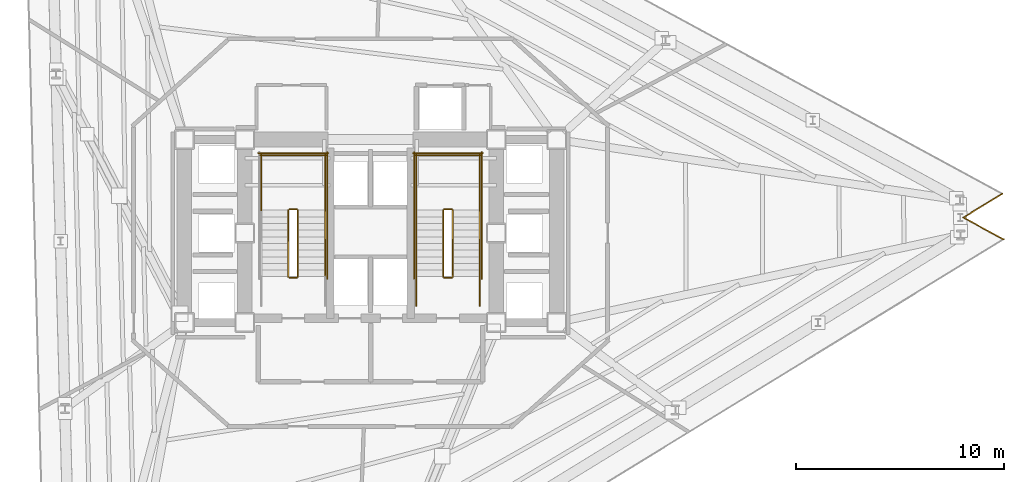
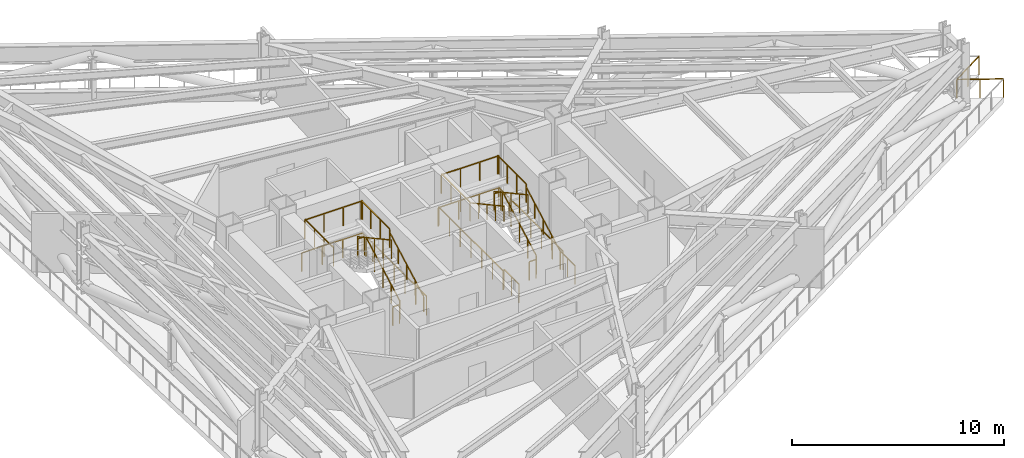
# One storey, part 9 of 10: 26 railings.
"""IFC4 building model written with IfcOpenShell, lengths in metres."""

from ifc_helpers import new_model, si_unit, direction, frame, origin, origin_2d, place, context, subcontext, project, spatial, rectangle, extrude, material, layer, layer_set, type_object, element, save


model = new_model("IFC4")

# Units and contexts
model_context = context("Model", 3, precision=1e-05, world=origin(), true_north=direction((0.0, 1.0)))
body_context = subcontext(model_context, "Body", "Model", "MODEL_VIEW")
ifc_project = project(units=[si_unit("LENGTHUNIT", "METRE"), si_unit("AREAUNIT", "SQUARE_METRE"), si_unit("VOLUMEUNIT", "CUBIC_METRE"), si_unit("PLANEANGLEUNIT", "RADIAN"), si_unit("MASSUNIT", "GRAM", prefix="KILO")], contexts=[model_context])

# Site, building, storey
site_placement = place(None, origin())
site = spatial("IfcSite", under=ifc_project, at=site_placement, CompositionType="ELEMENT")
building_placement = place(site_placement, origin())
building = spatial("IfcBuilding", under=site, at=building_placement, Name="Rocaltana Carrier Exchange", CompositionType="ELEMENT")
storey_placement = place(building_placement, frame((0.0, 0.0, 45.760009765625)))
storey = spatial("IfcBuildingStorey", under=building, at=storey_placement, Name="L14", CompositionType="ELEMENT", Elevation=45.760009765625)

# Railings
ifc_material_1 = material(Name="Brushed Architectural Stainless Tube", Category="steel")
ifc_layer_1 = layer(ifc_material_1, 0.048095703125)
ifc_layer_set_1 = layer_set([ifc_layer_1], Name="Brushed Architectural Stainless Tube")
railing_type_1 = type_object("IfcRailingType", Name="Stair Wall Handrail 920", PredefinedType="HANDRAIL", material=ifc_layer_set_1)
for number, where, name in (
    (1, (-2.18994140625, -2.10009765625, 0.174560546875), "L14 ST-1 stair handrail 1"),
    (2, (5.25, -2.10009765625, 0.174560546875), "L14 ST-2 stair handrail 1"),
):
    element("IfcRailing", number, at=place(storey_placement, frame(where)), inside=storey, type_object=railing_type_1, Name=name, PredefinedType="HANDRAIL", context=body_context, shape_type="SweptSolid", body=[
        extrude(rectangle(XDim=0.048095703125, YDim=0.048095703125, at=origin_2d()), frame((0.0, 0.0, 0.8759765625), z_axis=(0.0, 0.877918608156, 0.478809896987), x_axis=(-1.0, 0.0, 0.0)), (0.0, 0.0, 1.0), 3.645263671875),
        extrude(rectangle(XDim=0.0419921875, YDim=0.0419921875, at=origin_2d()), origin(), (0.0, 0.0, 1.0), 0.851806640625),
        extrude(rectangle(XDim=0.0419921875, YDim=0.0419921875, at=origin_2d()), frame((0.0, 0.800048828125, 0.436279296875)), (0.0, 0.0, 1.0), 0.851806640625),
        extrude(rectangle(XDim=0.0419921875, YDim=0.0419921875, at=origin_2d()), frame((0.0, 1.60009765625, 0.87255859375)), (0.0, 0.0, 1.0), 0.851806640625),
        extrude(rectangle(XDim=0.0419921875, YDim=0.0419921875, at=origin_2d()), frame((0.0, 2.400146484375, 1.30908203125)), (0.0, 0.0, 1.0), 0.851806640625),
        extrude(rectangle(XDim=0.0419921875, YDim=0.0419921875, at=origin_2d()), frame((0.0, 3.2001953125, 1.745361328125)), (0.0, 0.0, 1.0), 0.851806640625),
    ])
railing_1_placement = place(storey_placement, frame((2.18994140625, 1.10009765625, 2.094482421875)))
element("IfcRailing", 3, at=railing_1_placement, inside=storey, type_object=railing_type_1, Name="L14 ST-2 stair handrail 2", PredefinedType="HANDRAIL", context=body_context, shape_type="SweptSolid", body=[
    extrude(rectangle(XDim=0.048095703125, YDim=0.048095703125, at=origin_2d()), frame((0.0, 0.0, 0.8759765625), z_axis=(0.0, -0.87789045386, 0.478861515494), x_axis=(1.0, 0.0, 0.0)), (0.0, 0.0, 1.0), 3.645263671875),
    extrude(rectangle(XDim=0.0419921875, YDim=0.0419921875, at=origin_2d()), origin(), (0.0, 0.0, 1.0), 0.851806640625),
    extrude(rectangle(XDim=0.0419921875, YDim=0.0419921875, at=origin_2d()), frame((0.0, -0.800048828125, 0.4365234375)), (0.0, 0.0, 1.0), 0.851806640625),
    extrude(rectangle(XDim=0.0419921875, YDim=0.0419921875, at=origin_2d()), frame((0.0, -1.60009765625, 0.872802734375)), (0.0, 0.0, 1.0), 0.851806640625),
    extrude(rectangle(XDim=0.0419921875, YDim=0.0419921875, at=origin_2d()), frame((0.0, -2.400146484375, 1.30908203125)), (0.0, 0.0, 1.0), 0.851806640625),
    extrude(rectangle(XDim=0.0419921875, YDim=0.0419921875, at=origin_2d()), frame((0.0, -3.2001953125, 1.74560546875)), (0.0, 0.0, 1.0), 0.851806640625),
])
ifc_material_2 = material(Name="Powder-Coated Aluminium 6063-T6", Category="aluminium")
ifc_layer_2 = layer(ifc_material_2, 0.048095703125)
ifc_layer_set_2 = layer_set([ifc_layer_2], Name="Powder-Coated Aluminium 6063-T6")
railing_type_2 = type_object("IfcRailingType", Name="Stair Well Guardrail 1100", PredefinedType="GUARDRAIL", material=ifc_layer_set_2)
railing_2_placement = place(storey_placement, frame((-3.489990234375, -2.10009765625, 0.174560546875)))
element("IfcRailing", 4, at=railing_2_placement, inside=storey, type_object=railing_type_2, Name="L14 ST-1 stair guard 1", PredefinedType="GUARDRAIL", context=body_context, shape_type="SweptSolid", body=[
    extrude(rectangle(XDim=0.048095703125, YDim=0.048095703125, at=origin_2d()), frame((0.0, 0.0, 1.076171875), z_axis=(0.0, 0.877918608156, 0.478809896987), x_axis=(-1.0, 0.0, 0.0)), (0.0, 0.0, 1.0), 3.645263671875),
    extrude(rectangle(XDim=0.0419921875, YDim=0.0419921875, at=origin_2d()), origin(), (0.0, 0.0, 1.0), 1.052001953125),
    extrude(rectangle(XDim=0.0419921875, YDim=0.0419921875, at=origin_2d()), frame((0.0, 0.800048828125, 0.436279296875)), (0.0, 0.0, 1.0), 1.052001953125),
    extrude(rectangle(XDim=0.0419921875, YDim=0.0419921875, at=origin_2d()), frame((0.0, 1.60009765625, 0.87255859375)), (0.0, 0.0, 1.0), 1.052001953125),
    extrude(rectangle(XDim=0.0419921875, YDim=0.0419921875, at=origin_2d()), frame((0.0, 2.400146484375, 1.30908203125)), (0.0, 0.0, 1.0), 1.052001953125),
    extrude(rectangle(XDim=0.0419921875, YDim=0.0419921875, at=origin_2d()), frame((0.0, 3.2001953125, 1.745361328125)), (0.0, 0.0, 1.0), 1.052001953125),
])
railing_3_placement = place(storey_placement, frame((-3.5400390625, 1.14990234375, 1.919921875)))
element("IfcRailing", 5, at=railing_3_placement, inside=storey, type_object=railing_type_2, Name="L14 ST-1 stair guard 2", PredefinedType="GUARDRAIL", context=body_context, shape_type="SweptSolid", body=[
    extrude(rectangle(XDim=0.048095703125, YDim=0.048095703125, at=origin_2d()), frame((0.0, 0.0, 1.076171875), z_axis=(-1.0, 0.0, 0.0), x_axis=(0.0, -1.0, 0.0)), (0.0, 0.0, 1.0), 0.35986328125),
    extrude(rectangle(XDim=0.0419921875, YDim=0.0419921875, at=origin_2d()), origin(), (0.0, 0.0, 1.0), 1.052001953125),
    extrude(rectangle(XDim=0.0419921875, YDim=0.0419921875, at=origin_2d()), frame((-0.35986328125, 0.0, 0.0)), (0.0, 0.0, 1.0), 1.052001953125),
])
for number, where, name in (
    (6, (-2.18994140625, 1.10009765625, 1.919921875), "L14 ST-1 stair guard 3"),
    (7, (-5.25, 1.10009765625, 1.919921875), "L14 ST-1 stair guard 4"),
):
    element("IfcRailing", number, at=place(storey_placement, frame(where)), inside=storey, type_object=railing_type_2, Name=name, PredefinedType="GUARDRAIL", context=body_context, shape_type="SweptSolid", body=[
        extrude(rectangle(XDim=0.048095703125, YDim=0.048095703125, at=origin_2d()), frame((0.0, 0.0, 1.076171875), z_axis=(0.0, 1.0, 0.0), x_axis=(-1.0, 0.0, 0.0)), (0.0, 0.0, 1.0), 2.699951171875),
        extrude(rectangle(XDim=0.0419921875, YDim=0.0419921875, at=origin_2d()), origin(), (0.0, 0.0, 1.0), 1.052001953125),
        extrude(rectangle(XDim=0.0419921875, YDim=0.0419921875, at=origin_2d()), frame((0.0, 0.89990234375, 0.0)), (0.0, 0.0, 1.0), 1.052001953125),
        extrude(rectangle(XDim=0.0419921875, YDim=0.0419921875, at=origin_2d()), frame((0.0, 1.800048828125, 0.0)), (0.0, 0.0, 1.0), 1.052001953125),
        extrude(rectangle(XDim=0.0419921875, YDim=0.0419921875, at=origin_2d()), frame((0.0, 2.699951171875, 0.0)), (0.0, 0.0, 1.0), 1.052001953125),
    ])
railing_4_placement = place(storey_placement, frame((-2.139892578125, 3.75, 1.919921875)))
element("IfcRailing", 8, at=railing_4_placement, inside=storey, type_object=railing_type_2, Name="L14 ST-1 stair guard 5", PredefinedType="GUARDRAIL", context=body_context, shape_type="SweptSolid", body=[
    extrude(rectangle(XDim=0.048095703125, YDim=0.048095703125, at=origin_2d()), frame((0.0, 0.0, 1.076171875), z_axis=(-1.0, 0.0, 0.0), x_axis=(0.0, -1.0, 0.0)), (0.0, 0.0, 1.0), 3.16015625),
    extrude(rectangle(XDim=0.0419921875, YDim=0.0419921875, at=origin_2d()), origin(), (0.0, 0.0, 1.0), 1.052001953125),
    extrude(rectangle(XDim=0.0419921875, YDim=0.0419921875, at=origin_2d()), frame((-1.053466796875, 0.0, 0.0)), (0.0, 0.0, 1.0), 1.052001953125),
    extrude(rectangle(XDim=0.0419921875, YDim=0.0419921875, at=origin_2d()), frame((-2.106689453125, 0.0, 0.0)), (0.0, 0.0, 1.0), 1.052001953125),
    extrude(rectangle(XDim=0.0419921875, YDim=0.0419921875, at=origin_2d()), frame((-3.16015625, 0.0, 0.0)), (0.0, 0.0, 1.0), 1.052001953125),
])
railing_5_placement = place(storey_placement, frame((-3.949951171875, 1.10009765625, 2.094482421875)))
element("IfcRailing", 9, at=railing_5_placement, inside=storey, type_object=railing_type_2, Name="L14 ST-1 stair guard 6", PredefinedType="GUARDRAIL", context=body_context, shape_type="SweptSolid", body=[
    extrude(rectangle(XDim=0.048095703125, YDim=0.048095703125, at=origin_2d()), frame((0.0, 0.0, 1.076171875), z_axis=(0.0, -0.87789045386, 0.478861515494), x_axis=(1.0, 0.0, 0.0)), (0.0, 0.0, 1.0), 3.645263671875),
    extrude(rectangle(XDim=0.0419921875, YDim=0.0419921875, at=origin_2d()), origin(), (0.0, 0.0, 1.0), 1.052001953125),
    extrude(rectangle(XDim=0.0419921875, YDim=0.0419921875, at=origin_2d()), frame((0.0, -0.800048828125, 0.4365234375)), (0.0, 0.0, 1.0), 1.052001953125),
    extrude(rectangle(XDim=0.0419921875, YDim=0.0419921875, at=origin_2d()), frame((0.0, -1.60009765625, 0.872802734375)), (0.0, 0.0, 1.0), 1.052001953125),
    extrude(rectangle(XDim=0.0419921875, YDim=0.0419921875, at=origin_2d()), frame((0.0, -2.400146484375, 1.30908203125)), (0.0, 0.0, 1.0), 1.052001953125),
    extrude(rectangle(XDim=0.0419921875, YDim=0.0419921875, at=origin_2d()), frame((0.0, -3.2001953125, 1.74560546875)), (0.0, 0.0, 1.0), 1.052001953125),
])
railing_6_placement = place(storey_placement, frame((-3.5400390625, -2.14990234375, 0.0)))
element("IfcRailing", 10, at=railing_6_placement, inside=storey, type_object=railing_type_2, Name="L14 ST-1 stair guard 7", PredefinedType="GUARDRAIL", context=body_context, shape_type="SweptSolid", body=[
    extrude(rectangle(XDim=0.048095703125, YDim=0.048095703125, at=origin_2d()), frame((0.0, 0.0, 1.076171875), z_axis=(-1.0, 0.0, 0.0), x_axis=(0.0, -1.0, 0.0)), (0.0, 0.0, 1.0), 0.35986328125),
    extrude(rectangle(XDim=0.0419921875, YDim=0.0419921875, at=origin_2d()), origin(), (0.0, 0.0, 1.0), 1.052001953125),
    extrude(rectangle(XDim=0.0419921875, YDim=0.0419921875, at=origin_2d()), frame((-0.35986328125, 0.0, 0.0)), (0.0, 0.0, 1.0), 1.052001953125),
])
railing_7_placement = place(storey_placement, frame((-2.090087890625, -2.199951171875, 0.0)))
element("IfcRailing", 11, at=railing_7_placement, inside=storey, type_object=railing_type_2, Name="L14 ST-1 stair guard 10", PredefinedType="GUARDRAIL", context=body_context, shape_type="SweptSolid", body=[
    extrude(rectangle(XDim=0.048095703125, YDim=0.048095703125, at=origin_2d()), frame((0.0, 0.0, 1.076171875), z_axis=(0.0, 1.0, 0.0), x_axis=(-1.0, 0.0, 0.0)), (0.0, 0.0, 1.0), 6.099853515625),
    extrude(rectangle(XDim=0.0419921875, YDim=0.0419921875, at=origin_2d()), origin(), (0.0, 0.0, 1.0), 1.052001953125),
    extrude(rectangle(XDim=0.0419921875, YDim=0.0419921875, at=origin_2d()), frame((0.0, 1.0166015625, 0.0)), (0.0, 0.0, 1.0), 1.052001953125),
    extrude(rectangle(XDim=0.0419921875, YDim=0.0419921875, at=origin_2d()), frame((0.0, 2.033203125, 0.0)), (0.0, 0.0, 1.0), 1.052001953125),
    extrude(rectangle(XDim=0.0419921875, YDim=0.0419921875, at=origin_2d()), frame((0.0, 3.0498046875, 0.0)), (0.0, 0.0, 1.0), 1.052001953125),
    extrude(rectangle(XDim=0.0419921875, YDim=0.0419921875, at=origin_2d()), frame((0.0, 4.066650390625, 0.0)), (0.0, 0.0, 1.0), 1.052001953125),
    extrude(rectangle(XDim=0.0419921875, YDim=0.0419921875, at=origin_2d()), frame((0.0, 5.083251953125, 0.0)), (0.0, 0.0, 1.0), 1.052001953125),
    extrude(rectangle(XDim=0.0419921875, YDim=0.0419921875, at=origin_2d()), frame((0.0, 6.099853515625, 0.0)), (0.0, 0.0, 1.0), 1.052001953125),
])
railing_8_placement = place(storey_placement, frame((-2.0400390625, 3.85009765625, 0.0)))
element("IfcRailing", 12, at=railing_8_placement, inside=storey, type_object=railing_type_2, Name="L14 ST-1 stair guard 12", PredefinedType="GUARDRAIL", context=body_context, shape_type="SweptSolid", body=[
    extrude(rectangle(XDim=0.048095703125, YDim=0.048095703125, at=origin_2d()), frame((0.0, 0.0, 1.076171875), z_axis=(-1.0, 0.0, 0.0), x_axis=(0.0, -1.0, 0.0)), (0.0, 0.0, 1.0), 3.35986328125),
    extrude(rectangle(XDim=0.0419921875, YDim=0.0419921875, at=origin_2d()), origin(), (0.0, 0.0, 1.0), 1.052001953125),
    extrude(rectangle(XDim=0.0419921875, YDim=0.0419921875, at=origin_2d()), frame((-1.119873046875, 0.0, 0.0)), (0.0, 0.0, 1.0), 1.052001953125),
    extrude(rectangle(XDim=0.0419921875, YDim=0.0419921875, at=origin_2d()), frame((-2.239990234375, 0.0, 0.0)), (0.0, 0.0, 1.0), 1.052001953125),
    extrude(rectangle(XDim=0.0419921875, YDim=0.0419921875, at=origin_2d()), frame((-3.35986328125, 0.0, 0.0)), (0.0, 0.0, 1.0), 1.052001953125),
])
railing_9_placement = place(storey_placement, frame((3.949951171875, -2.10009765625, 0.174560546875)))
element("IfcRailing", 13, at=railing_9_placement, inside=storey, type_object=railing_type_2, Name="L14 ST-2 stair guard 1", PredefinedType="GUARDRAIL", context=body_context, shape_type="SweptSolid", body=[
    extrude(rectangle(XDim=0.048095703125, YDim=0.048095703125, at=origin_2d()), frame((0.0, 0.0, 1.076171875), z_axis=(0.0, 0.877918608156, 0.478809896987), x_axis=(-1.0, 0.0, 0.0)), (0.0, 0.0, 1.0), 3.645263671875),
    extrude(rectangle(XDim=0.0419921875, YDim=0.0419921875, at=origin_2d()), origin(), (0.0, 0.0, 1.0), 1.052001953125),
    extrude(rectangle(XDim=0.0419921875, YDim=0.0419921875, at=origin_2d()), frame((0.0, 0.800048828125, 0.436279296875)), (0.0, 0.0, 1.0), 1.052001953125),
    extrude(rectangle(XDim=0.0419921875, YDim=0.0419921875, at=origin_2d()), frame((0.0, 1.60009765625, 0.87255859375)), (0.0, 0.0, 1.0), 1.052001953125),
    extrude(rectangle(XDim=0.0419921875, YDim=0.0419921875, at=origin_2d()), frame((0.0, 2.400146484375, 1.30908203125)), (0.0, 0.0, 1.0), 1.052001953125),
    extrude(rectangle(XDim=0.0419921875, YDim=0.0419921875, at=origin_2d()), frame((0.0, 3.2001953125, 1.745361328125)), (0.0, 0.0, 1.0), 1.052001953125),
])
railing_10_placement = place(storey_placement, frame((3.89990234375, 1.14990234375, 1.919921875)))
element("IfcRailing", 14, at=railing_10_placement, inside=storey, type_object=railing_type_2, Name="L14 ST-2 stair guard 2", PredefinedType="GUARDRAIL", context=body_context, shape_type="SweptSolid", body=[
    extrude(rectangle(XDim=0.048095703125, YDim=0.048095703125, at=origin_2d()), frame((0.0, 0.0, 1.076171875), z_axis=(-1.0, 0.0, 0.0), x_axis=(0.0, -1.0, 0.0)), (0.0, 0.0, 1.0), 0.35986328125),
    extrude(rectangle(XDim=0.0419921875, YDim=0.0419921875, at=origin_2d()), origin(), (0.0, 0.0, 1.0), 1.052001953125),
    extrude(rectangle(XDim=0.0419921875, YDim=0.0419921875, at=origin_2d()), frame((-0.35986328125, 0.0, 0.0)), (0.0, 0.0, 1.0), 1.052001953125),
])
for number, where, name in (
    (15, (5.25, 1.10009765625, 1.919921875), "L14 ST-2 stair guard 3"),
    (16, (2.18994140625, 1.10009765625, 1.919921875), "L14 ST-2 stair guard 4"),
):
    element("IfcRailing", number, at=place(storey_placement, frame(where)), inside=storey, type_object=railing_type_2, Name=name, PredefinedType="GUARDRAIL", context=body_context, shape_type="SweptSolid", body=[
        extrude(rectangle(XDim=0.048095703125, YDim=0.048095703125, at=origin_2d()), frame((0.0, 0.0, 1.076171875), z_axis=(0.0, 1.0, 0.0), x_axis=(-1.0, 0.0, 0.0)), (0.0, 0.0, 1.0), 2.699951171875),
        extrude(rectangle(XDim=0.0419921875, YDim=0.0419921875, at=origin_2d()), origin(), (0.0, 0.0, 1.0), 1.052001953125),
        extrude(rectangle(XDim=0.0419921875, YDim=0.0419921875, at=origin_2d()), frame((0.0, 0.89990234375, 0.0)), (0.0, 0.0, 1.0), 1.052001953125),
        extrude(rectangle(XDim=0.0419921875, YDim=0.0419921875, at=origin_2d()), frame((0.0, 1.800048828125, 0.0)), (0.0, 0.0, 1.0), 1.052001953125),
        extrude(rectangle(XDim=0.0419921875, YDim=0.0419921875, at=origin_2d()), frame((0.0, 2.699951171875, 0.0)), (0.0, 0.0, 1.0), 1.052001953125),
    ])
railing_11_placement = place(storey_placement, frame((5.300048828125, 3.75, 1.919921875)))
element("IfcRailing", 17, at=railing_11_placement, inside=storey, type_object=railing_type_2, Name="L14 ST-2 stair guard 5", PredefinedType="GUARDRAIL", context=body_context, shape_type="SweptSolid", body=[
    extrude(rectangle(XDim=0.048095703125, YDim=0.048095703125, at=origin_2d()), frame((0.0, 0.0, 1.076171875), z_axis=(-1.0, 0.0, 0.0), x_axis=(0.0, -1.0, 0.0)), (0.0, 0.0, 1.0), 3.16015625),
    extrude(rectangle(XDim=0.0419921875, YDim=0.0419921875, at=origin_2d()), origin(), (0.0, 0.0, 1.0), 1.052001953125),
    extrude(rectangle(XDim=0.0419921875, YDim=0.0419921875, at=origin_2d()), frame((-1.053466796875, 0.0, 0.0)), (0.0, 0.0, 1.0), 1.052001953125),
    extrude(rectangle(XDim=0.0419921875, YDim=0.0419921875, at=origin_2d()), frame((-2.106689453125, 0.0, 0.0)), (0.0, 0.0, 1.0), 1.052001953125),
    extrude(rectangle(XDim=0.0419921875, YDim=0.0419921875, at=origin_2d()), frame((-3.16015625, 0.0, 0.0)), (0.0, 0.0, 1.0), 1.052001953125),
])
railing_12_placement = place(storey_placement, frame((3.489990234375, 1.10009765625, 2.094482421875)))
element("IfcRailing", 18, at=railing_12_placement, inside=storey, type_object=railing_type_2, Name="L14 ST-2 stair guard 6", PredefinedType="GUARDRAIL", context=body_context, shape_type="SweptSolid", body=[
    extrude(rectangle(XDim=0.048095703125, YDim=0.048095703125, at=origin_2d()), frame((0.0, 0.0, 1.076171875), z_axis=(0.0, -0.87789045386, 0.478861515494), x_axis=(1.0, 0.0, 0.0)), (0.0, 0.0, 1.0), 3.645263671875),
    extrude(rectangle(XDim=0.0419921875, YDim=0.0419921875, at=origin_2d()), origin(), (0.0, 0.0, 1.0), 1.052001953125),
    extrude(rectangle(XDim=0.0419921875, YDim=0.0419921875, at=origin_2d()), frame((0.0, -0.800048828125, 0.4365234375)), (0.0, 0.0, 1.0), 1.052001953125),
    extrude(rectangle(XDim=0.0419921875, YDim=0.0419921875, at=origin_2d()), frame((0.0, -1.60009765625, 0.872802734375)), (0.0, 0.0, 1.0), 1.052001953125),
    extrude(rectangle(XDim=0.0419921875, YDim=0.0419921875, at=origin_2d()), frame((0.0, -2.400146484375, 1.30908203125)), (0.0, 0.0, 1.0), 1.052001953125),
    extrude(rectangle(XDim=0.0419921875, YDim=0.0419921875, at=origin_2d()), frame((0.0, -3.2001953125, 1.74560546875)), (0.0, 0.0, 1.0), 1.052001953125),
])
railing_13_placement = place(storey_placement, frame((3.89990234375, -2.14990234375, 0.0)))
element("IfcRailing", 19, at=railing_13_placement, inside=storey, type_object=railing_type_2, Name="L14 ST-2 stair guard 7", PredefinedType="GUARDRAIL", context=body_context, shape_type="SweptSolid", body=[
    extrude(rectangle(XDim=0.048095703125, YDim=0.048095703125, at=origin_2d()), frame((0.0, 0.0, 1.076171875), z_axis=(-1.0, 0.0, 0.0), x_axis=(0.0, -1.0, 0.0)), (0.0, 0.0, 1.0), 0.35986328125),
    extrude(rectangle(XDim=0.0419921875, YDim=0.0419921875, at=origin_2d()), origin(), (0.0, 0.0, 1.0), 1.052001953125),
    extrude(rectangle(XDim=0.0419921875, YDim=0.0419921875, at=origin_2d()), frame((-0.35986328125, 0.0, 0.0)), (0.0, 0.0, 1.0), 1.052001953125),
])
for number, where, name in (
    (20, (5.25, -3.5, 0.0), "L14 ST-2 stair guard 8"),
    (21, (2.18994140625, -3.5, 0.0), "L14 ST-2 stair guard 9"),
):
    element("IfcRailing", number, at=place(storey_placement, frame(where)), inside=storey, type_object=railing_type_2, Name=name, PredefinedType="GUARDRAIL", context=body_context, shape_type="SweptSolid", body=[
        extrude(rectangle(XDim=0.048095703125, YDim=0.048095703125, at=origin_2d()), frame((0.0, 0.0, 1.076171875), z_axis=(0.0, 1.0, 0.0), x_axis=(-1.0, 0.0, 0.0)), (0.0, 0.0, 1.0), 1.39990234375),
        extrude(rectangle(XDim=0.0419921875, YDim=0.0419921875, at=origin_2d()), origin(), (0.0, 0.0, 1.0), 1.052001953125),
        extrude(rectangle(XDim=0.0419921875, YDim=0.0419921875, at=origin_2d()), frame((0.0, 0.699951171875, 0.0)), (0.0, 0.0, 1.0), 1.052001953125),
        extrude(rectangle(XDim=0.0419921875, YDim=0.0419921875, at=origin_2d()), frame((0.0, 1.39990234375, 0.0)), (0.0, 0.0, 1.0), 1.052001953125),
    ])
for number, where, name in (
    (22, (5.35009765625, -2.199951171875, 0.0), "L14 ST-2 stair guard 10"),
    (23, (2.090087890625, -2.199951171875, 0.0), "L14 ST-2 stair guard 11"),
):
    element("IfcRailing", number, at=place(storey_placement, frame(where)), inside=storey, type_object=railing_type_2, Name=name, PredefinedType="GUARDRAIL", context=body_context, shape_type="SweptSolid", body=[
        extrude(rectangle(XDim=0.048095703125, YDim=0.048095703125, at=origin_2d()), frame((0.0, 0.0, 1.076171875), z_axis=(0.0, 1.0, 0.0), x_axis=(-1.0, 0.0, 0.0)), (0.0, 0.0, 1.0), 6.099853515625),
        extrude(rectangle(XDim=0.0419921875, YDim=0.0419921875, at=origin_2d()), origin(), (0.0, 0.0, 1.0), 1.052001953125),
        extrude(rectangle(XDim=0.0419921875, YDim=0.0419921875, at=origin_2d()), frame((0.0, 1.0166015625, 0.0)), (0.0, 0.0, 1.0), 1.052001953125),
        extrude(rectangle(XDim=0.0419921875, YDim=0.0419921875, at=origin_2d()), frame((0.0, 2.033203125, 0.0)), (0.0, 0.0, 1.0), 1.052001953125),
        extrude(rectangle(XDim=0.0419921875, YDim=0.0419921875, at=origin_2d()), frame((0.0, 3.0498046875, 0.0)), (0.0, 0.0, 1.0), 1.052001953125),
        extrude(rectangle(XDim=0.0419921875, YDim=0.0419921875, at=origin_2d()), frame((0.0, 4.066650390625, 0.0)), (0.0, 0.0, 1.0), 1.052001953125),
        extrude(rectangle(XDim=0.0419921875, YDim=0.0419921875, at=origin_2d()), frame((0.0, 5.083251953125, 0.0)), (0.0, 0.0, 1.0), 1.052001953125),
        extrude(rectangle(XDim=0.0419921875, YDim=0.0419921875, at=origin_2d()), frame((0.0, 6.099853515625, 0.0)), (0.0, 0.0, 1.0), 1.052001953125),
    ])
railing_14_placement = place(storey_placement, frame((5.39990234375, 3.85009765625, 0.0)))
element("IfcRailing", 24, at=railing_14_placement, inside=storey, type_object=railing_type_2, Name="L14 ST-2 stair guard 12", PredefinedType="GUARDRAIL", context=body_context, shape_type="SweptSolid", body=[
    extrude(rectangle(XDim=0.048095703125, YDim=0.048095703125, at=origin_2d()), frame((0.0, 0.0, 1.076171875), z_axis=(-1.0, 0.0, 0.0), x_axis=(0.0, -1.0, 0.0)), (0.0, 0.0, 1.0), 3.35986328125),
    extrude(rectangle(XDim=0.0419921875, YDim=0.0419921875, at=origin_2d()), origin(), (0.0, 0.0, 1.0), 1.052001953125),
    extrude(rectangle(XDim=0.0419921875, YDim=0.0419921875, at=origin_2d()), frame((-1.119873046875, 0.0, 0.0)), (0.0, 0.0, 1.0), 1.052001953125),
    extrude(rectangle(XDim=0.0419921875, YDim=0.0419921875, at=origin_2d()), frame((-2.239990234375, 0.0, 0.0)), (0.0, 0.0, 1.0), 1.052001953125),
    extrude(rectangle(XDim=0.0419921875, YDim=0.0419921875, at=origin_2d()), frame((-3.35986328125, 0.0, 0.0)), (0.0, 0.0, 1.0), 1.052001953125),
])
ifc_material_3 = material(Name="Powder-Coated Aluminium 6063-T6", Category="aluminium")
ifc_layer_3 = layer(ifc_material_3, 0.06005859375)
ifc_layer_set_3 = layer_set([ifc_layer_3], Name="Powder-Coated Aluminium 6063-T6")
railing_type_3 = type_object("IfcRailingType", Name="Wind-Floor & Terrace Perimeter Guardrail 1100", PredefinedType="GUARDRAIL", material=ifc_layer_set_3)
railing_15_placement = place(storey_placement, frame((30.444580078125, -0.30322265625, 0.0)))
element("IfcRailing", 25, at=railing_15_placement, inside=storey, type_object=railing_type_3, Name="L14 Wind Perimeter Guardrail 1", PredefinedType="GUARDRAIL", context=body_context, shape_type="SweptSolid", body=[
    extrude(rectangle(XDim=0.048095703125, YDim=0.048095703125, at=origin_2d()), frame((0.0, 0.0, 1.076171875), z_axis=(-0.878801578058, 0.477187370331, 0.0), x_axis=(-0.477187370331, -0.878801578058, 0.0)), (0.0, 0.0, 1.0), 2.199951171875),
    extrude(rectangle(XDim=0.0419921875, YDim=0.0419921875, at=origin_2d()), origin(), (0.0, 0.0, 1.0), 1.052001953125),
    extrude(rectangle(XDim=0.0419921875, YDim=0.0419921875, at=origin_2d()), frame((-0.966796875, 0.52490234375, 0.0)), (0.0, 0.0, 1.0), 1.052001953125),
    extrude(rectangle(XDim=0.0419921875, YDim=0.0419921875, at=origin_2d()), frame((-1.933349609375, 1.0498046875, 0.0)), (0.0, 0.0, 1.0), 1.052001953125),
])
railing_16_placement = place(storey_placement, frame((28.51123046875, 0.74658203125, 0.0)))
element("IfcRailing", 26, at=railing_16_placement, inside=storey, type_object=railing_type_3, Name="L14 Wind Perimeter Guardrail 2", PredefinedType="GUARDRAIL", context=body_context, shape_type="SweptSolid", body=[
    extrude(rectangle(XDim=0.048095703125, YDim=0.048095703125, at=origin_2d()), frame((0.0, 0.0, 1.076171875), z_axis=(0.852677796045, 0.522437150414, 0.0), x_axis=(-0.522437150414, 0.852677796045, 0.0)), (0.0, 0.0, 1.0), 2.2001953125),
    extrude(rectangle(XDim=0.0419921875, YDim=0.0419921875, at=origin_2d()), origin(), (0.0, 0.0, 1.0), 1.052001953125),
    extrude(rectangle(XDim=0.0419921875, YDim=0.0419921875, at=origin_2d()), frame((0.93798828125, 0.57470703125, 0.0)), (0.0, 0.0, 1.0), 1.052001953125),
    extrude(rectangle(XDim=0.0419921875, YDim=0.0419921875, at=origin_2d()), frame((1.8759765625, 1.1494140625, 0.0)), (0.0, 0.0, 1.0), 1.052001953125),
])

save(model, "model.ifc")
